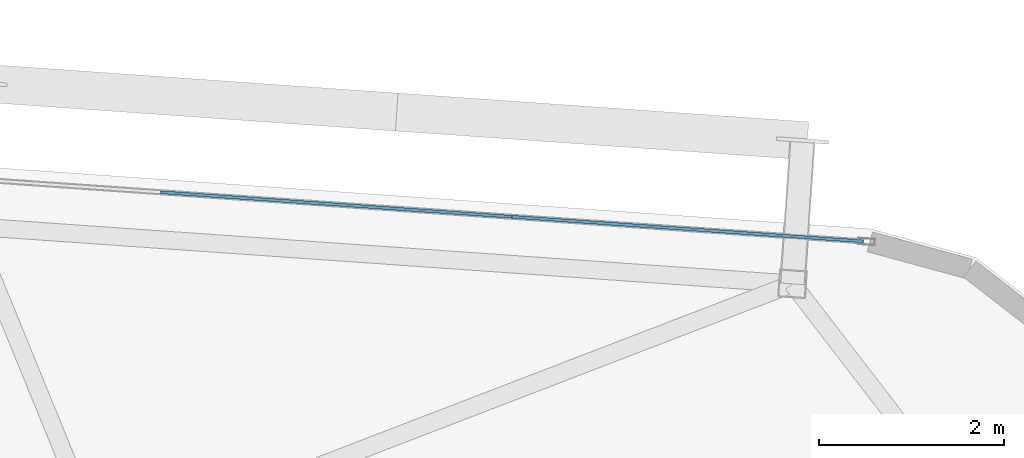
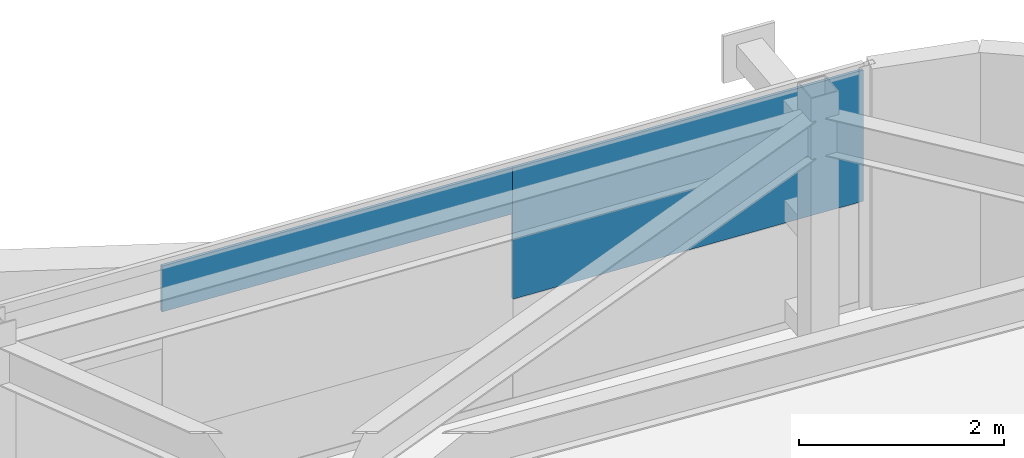
# One storey, part 26 of 39: 2 plates, 1 element without a shape of its own.
"""IFC4 building model written with IfcOpenShell, lengths in metres."""

from ifc_helpers import new_model, si_unit, direction, frame, origin, origin_2d, place, context, subcontext, project, spatial, rectangle, extrude, source, transform, mapped, material, layer, layer_set, type_object, element, aggregate, save


model = new_model("IFC4")

# Units and contexts
model_context = context("Model", 3, precision=1e-05, world=origin(), true_north=direction((0.0, 1.0)))
body_context = subcontext(model_context, "Body", "Model", "MODEL_VIEW")
ifc_project = project(units=[si_unit("LENGTHUNIT", "METRE"), si_unit("AREAUNIT", "SQUARE_METRE"), si_unit("VOLUMEUNIT", "CUBIC_METRE"), si_unit("PLANEANGLEUNIT", "RADIAN"), si_unit("MASSUNIT", "GRAM", prefix="KILO")], contexts=[model_context])

# Site, building, storey
site_placement = place(None, origin())
site = spatial("IfcSite", under=ifc_project, at=site_placement, CompositionType="ELEMENT")
building_placement = place(site_placement, origin())
building = spatial("IfcBuilding", under=site, at=building_placement, Name="Taldren Reach Tower", CompositionType="ELEMENT")
storey_placement = place(building_placement, frame((0.0, 0.0, 161.35009765625)))
storey = spatial("IfcBuildingStorey", under=building, at=storey_placement, Name="L49", CompositionType="ELEMENT", Elevation=161.35009765625)

# Curtain wall, plates
ifc_material_1 = material(Name="Aluminium and Low-E Glass Unitised System", Category="aluminium")
ifc_layer_1 = layer(ifc_material_1, 0.159912109375)
ifc_layer_set_1 = layer_set([ifc_layer_1], Name="Aluminium and Low-E Glass Unitised System")
curtain_wall_type = type_object("IfcCurtainWallType", Name="CW-SYS-4", PredefinedType="NOTDEFINED", material=ifc_layer_set_1)
curtain_wall_placement = place(storey_placement, origin())
curtain_wall = element("IfcCurtainWall", 1, at=curtain_wall_placement, inside=storey, type_object=curtain_wall_type, Name="Unitised curtain wall CW-L49-N", PredefinedType="NOTDEFINED")
ifc_material_2 = material(Name="Solar-Control Double Glazed IGU", Category="glass")
ifc_layer_2 = layer(ifc_material_2, 0.031982421875)
ifc_layer_set_2 = layer_set([ifc_layer_2], Name="Solar-Control Double Glazed IGU")
plate_type = type_object("IfcPlateType", Name="CW-PNL-IGU32", PredefinedType="CURTAIN_PANEL", material=ifc_layer_set_2)
shared_shape_1 = source(origin(), body_context, "Body", "SweptSolid", [
    extrude(rectangle(XDim=3.79833984375, YDim=0.031982421875, at=origin_2d()), origin(), (0.0, 0.0, 1.0), 0.545166015625),
])
plate_1_placement = place(storey_placement, frame((53.5166015625, 35.716796875, 2.26953125), z_axis=(0.0, 0.0, 1.0), x_axis=(-0.99756404731, 0.06975651593, 0.0)))
plate_1 = element("IfcPlate", 2, at=plate_1_placement, type_object=plate_type, Name="CW-4 panel 1.1 part 3", PredefinedType="CURTAIN_PANEL", context=body_context, shape_type="MappedRepresentation", body=[
    mapped(shared_shape_1, transform((0.0, 0.0, 0.0), scale=1.0)),
])
shared_shape_2 = source(origin(), body_context, "Body", "SweptSolid", [
    extrude(rectangle(XDim=3.79833984375, YDim=0.031982421875, at=origin_2d()), origin(), (0.0, 0.0, 1.0), 1.558837890625),
])
plate_2_placement = place(storey_placement, frame((57.3056640625, 35.451904296875, 1.255859375), z_axis=(0.0, 0.0, 1.0), x_axis=(-0.99756404731, 0.06975651593, 0.0)))
plate_2 = element("IfcPlate", 3, at=plate_2_placement, type_object=plate_type, Name="CW-4 panel 1.1 part 1", PredefinedType="CURTAIN_PANEL", context=body_context, shape_type="MappedRepresentation", body=[
    mapped(shared_shape_2, transform((0.0, 0.0, 0.0), scale=1.0)),
])
aggregate(curtain_wall, [plate_2, plate_1])

save(model, "model.ifc")
